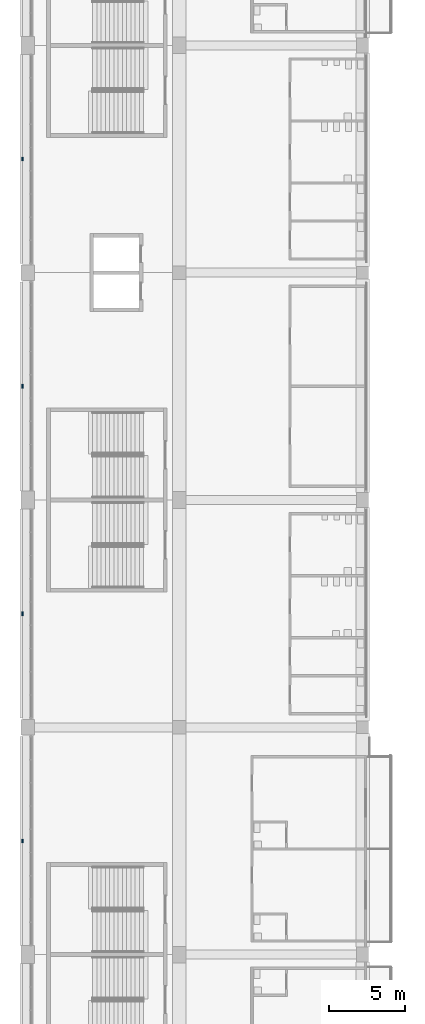
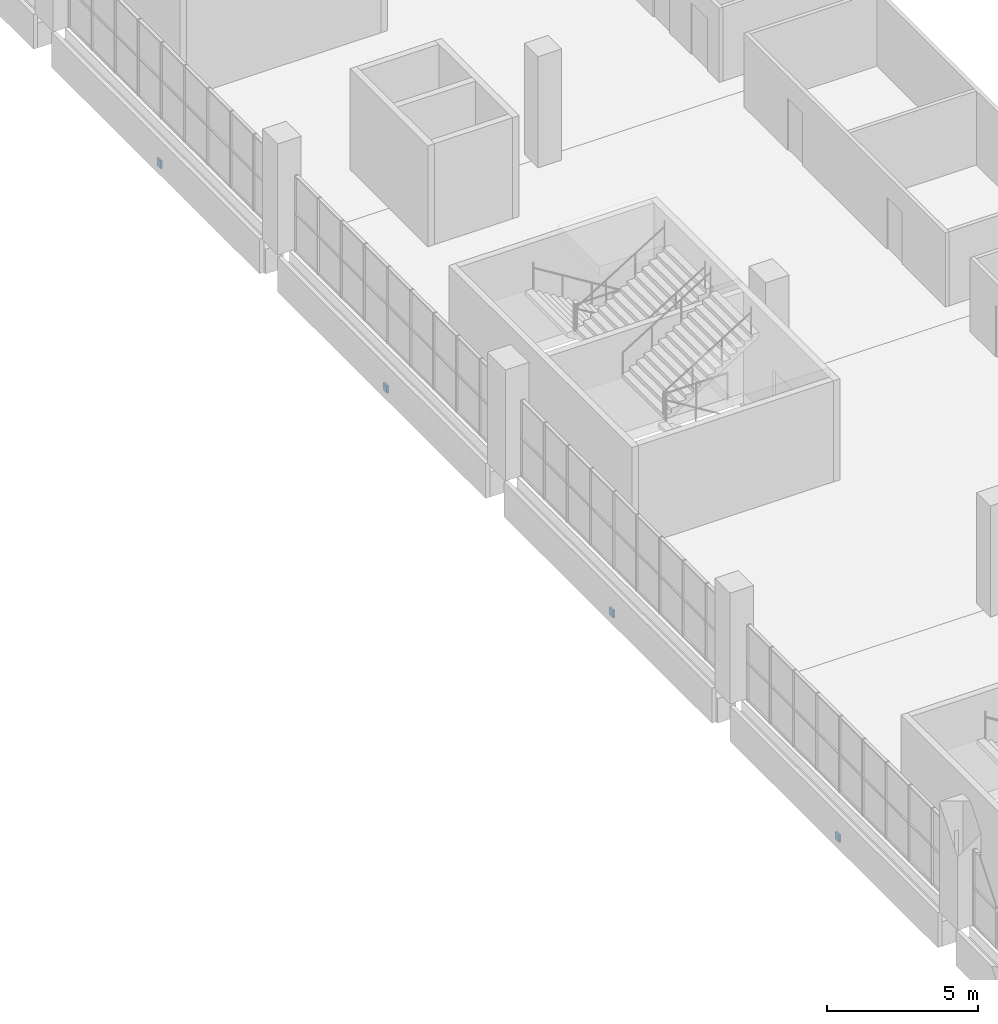
# One storey, part 92 of 199: 4 discrete accessories.
"""IFC4 building model written with IfcOpenShell, lengths in metres."""

import ifcopenshell
import ifcopenshell.guid

model = None  # the IFC model being written
_history = None  # IfcOwnerHistory: only IFC2X3 demands one
_inside = {}  # id of a spatial element -> (the spatial element, [elements in it])
_under = {}  # id of a project, library or spatial element -> (it, [spatial elements below it])
_declared = {}  # id of a project -> (the project, [libraries it declares])
_typed = {}  # id of a type object -> (the type object, [elements of that type])
_made_of = {}  # id of a material, layer set ... -> (it, [elements and type objects made of it])


def new_model(schema):
    """Start an empty IFC model of exactly this schema.

    Asked for "IFC4X3", IfcOpenShell would pick the latest addendum, in which some entities
    have other attributes; the version numbers below select the first issue.
    IFC2X3 requires an IfcOwnerHistory on every rooted entity: one is made here for all.
    """
    global model, _history
    if schema == "IFC4X3":
        model = ifcopenshell.file(schema_version=(4, 3, 0, 0))
    else:
        model = ifcopenshell.file(schema=schema)
    _inside.clear()
    _under.clear()
    _declared.clear()
    _typed.clear()
    _made_of.clear()
    _history = None
    if model.schema == "IFC2X3":
        org = make("IfcOrganization", Name="unknown")
        user = make(
            "IfcPersonAndOrganization",
            ThePerson=make("IfcPerson", FamilyName="unknown"),
            TheOrganization=org,
        )
        app = make(
            "IfcApplication",
            ApplicationDeveloper=org,
            Version="unknown",
            ApplicationFullName="unknown",
            ApplicationIdentifier="unknown",
        )
        _history = make(
            "IfcOwnerHistory",
            OwningUser=user,
            OwningApplication=app,
            ChangeAction="ADDED",
            CreationDate=0,
        )
    return model


def make(cls, **values):
    """One entity of the class cls with the attributes given. An attribute that is None is left unset."""
    return model.create_entity(
        cls, **{name: value for name, value in values.items() if value is not None}
    )


def rooted(cls, **values):
    """An entity with a GlobalId (a new one), such as an element, a storey or a relation."""
    return make(cls, GlobalId=ifcopenshell.guid.new(), OwnerHistory=_history, **values)


def si_unit(unit_type, name, prefix=None):
    """IfcSIUnit, for example si_unit("LENGTHUNIT", "METRE", prefix="MILLI")."""
    return make("IfcSIUnit", UnitType=unit_type, Prefix=prefix, Name=name)


def assignment(units):
    """IfcUnitAssignment: the units of a project."""
    return None if units is None else make("IfcUnitAssignment", Units=units)


def point(xyz):
    """IfcCartesianPoint."""
    return None if xyz is None else make("IfcCartesianPoint", Coordinates=xyz)


def direction(xyz):
    """IfcDirection."""
    return None if xyz is None else make("IfcDirection", DirectionRatios=xyz)


def frame(location, z_axis=None, x_axis=None):
    """IfcAxis2Placement3D, a coordinate frame: its origin and axes. An axis left out is left unset."""
    return make(
        "IfcAxis2Placement3D",
        Location=point(location),
        Axis=direction(z_axis),
        RefDirection=direction(x_axis),
    )


def frame_2d(location, x_axis=None):
    """IfcAxis2Placement2D, a coordinate frame in the plane: its origin and x axis."""
    return make(
        "IfcAxis2Placement2D", Location=point(location), RefDirection=direction(x_axis)
    )


def origin():
    """The frame at (0, 0, 0) with its axes left unset."""
    return frame((0.0, 0.0, 0.0))


def origin_2d():
    """The frame at (0, 0) in the plane with its x axis left unset."""
    return frame_2d((0.0, 0.0))


def place(relative_to, where):
    """IfcLocalPlacement: puts the frame where relative to a parent placement (None: the world)."""
    return make(
        "IfcLocalPlacement", PlacementRelTo=relative_to, RelativePlacement=where
    )


def context(
    kind, dimensions, precision=None, world=None, true_north=None, identifier=None
):
    """IfcGeometricRepresentationContext, for example the 3D "Model" context."""
    return make(
        "IfcGeometricRepresentationContext",
        ContextIdentifier=identifier,
        ContextType=kind,
        CoordinateSpaceDimension=dimensions,
        Precision=precision,
        WorldCoordinateSystem=world,
        TrueNorth=true_north,
    )


def subcontext(parent, identifier, kind, view, scale=None):
    """IfcGeometricRepresentationSubContext, for example "Body" below "Model"."""
    return make(
        "IfcGeometricRepresentationSubContext",
        ContextIdentifier=identifier,
        ContextType=kind,
        ParentContext=parent,
        TargetScale=scale,
        TargetView=view,
    )


def project(units=None, contexts=None):
    """IfcProject with its units and contexts."""
    return rooted(
        "IfcProject",
        Name="project",
        RepresentationContexts=contexts,
        UnitsInContext=assignment(units),
    )


def spatial(cls, under=None, at=None, **own):
    """A site, building, storey or space (cls), placed at a placement, below another one or the project."""
    s = rooted(cls, ObjectPlacement=at, **own)
    if under is not None:
        _under.setdefault(under.id(), (under, []))[1].append(s)
    return s


def profile(cls, at=None, kind="AREA", **sizes):
    """A parametric profile (cls). Its sizes go by their IFC names, for example OverallWidth=200.0."""
    return make(cls, ProfileType=kind, Position=at, **sizes)


def rectangle(**sizes):
    """IfcRectangleProfileDef."""
    return profile("IfcRectangleProfileDef", **sizes)


def extrude(swept, where, along, depth):
    """IfcExtrudedAreaSolid: the profile swept, set in the frame where, extruded along a direction by depth."""
    return make(
        "IfcExtrudedAreaSolid",
        SweptArea=swept,
        Position=where,
        ExtrudedDirection=direction(along),
        Depth=depth,
    )


def shape(context_of_items, identifier, shape_type, items):
    """IfcShapeRepresentation: the items that make up one representation, for example the "Body"."""
    return make(
        "IfcShapeRepresentation",
        ContextOfItems=context_of_items,
        RepresentationIdentifier=identifier,
        RepresentationType=shape_type,
        Items=items,
    )


def material(Name=None, Category=None):
    """IfcMaterial."""
    return make("IfcMaterial", Name=Name, Category=Category)


def layer(
    of_material, thickness, ventilated=None, Name=None, Category=None, Priority=None
):
    """IfcMaterialLayer: one layer of a wall or slab, of a material (None: an air gap)."""
    return make(
        "IfcMaterialLayer",
        Material=of_material,
        LayerThickness=thickness,
        IsVentilated=ventilated,
        Name=Name,
        Category=Category,
        Priority=Priority,
    )


def layer_set(layers, Name=None):
    """IfcMaterialLayerSet."""
    return make("IfcMaterialLayerSet", MaterialLayers=layers, LayerSetName=Name)


def made_of(thing, what):
    """Note that an element or type object is made of a material, layer set ...; save() writes the relation."""
    if what is not None:
        _made_of.setdefault(what.id(), (what, []))[1].append(thing)
    return thing


def type_object(cls, material=None, **own):
    """A type object (cls), such as IfcWallType, which elements share."""
    return made_of(rooted(cls, **own), material)


def element(
    cls,
    number,
    at=None,
    inside=None,
    cuts=None,
    type_object=None,
    material=None,
    context=None,
    identifier="Body",
    shape_type=None,
    held_by="IfcProductDefinitionShape",
    body=None,
    shapes=None,
    **own,
):
    """One element of the class cls, such as IfcWall. Its Tag is "e" and its number.

    at: its placement. inside: the storey or other place that contains it. cuts: it is an
    opening in that element (IfcRelVoidsElement). A single representation is given by context,
    identifier, shape_type and body (its items); several are given by shapes. held_by: the class
    of the entity that holds the representations. save() writes the other relations.
    """
    e = rooted(cls, Tag="e%d" % number, ObjectPlacement=at, **own)
    if body is not None:
        shapes = [shape(context, identifier, shape_type, body)]
    if shapes is not None:
        e.Representation = make(held_by, Representations=shapes)
    if inside is not None:
        _inside.setdefault(inside.id(), (inside, []))[1].append(e)
    if cuts is not None:
        rooted(
            "IfcRelVoidsElement", RelatingBuildingElement=cuts, RelatedOpeningElement=e
        )
    if type_object is not None:
        _typed.setdefault(type_object.id(), (type_object, []))[1].append(e)
    return made_of(e, material)


def aggregate(whole, parts):
    """IfcRelAggregates: a whole, such as a stair, and the parts it consists of."""
    return rooted("IfcRelAggregates", RelatingObject=whole, RelatedObjects=parts)


def save(model, path):
    """Write the relations noted so far, then the file.

    IfcRelAggregates (storeys below a building ...), IfcRelContainedInSpatialStructure (elements
    in a storey), IfcRelDefinesByType, IfcRelAssociatesMaterial and IfcRelDeclares: one each for
    every whole, place, type object, material and project.
    """
    for whole, parts in _under.values():
        aggregate(whole, parts)
    for where, things in _inside.values():
        rooted(
            "IfcRelContainedInSpatialStructure",
            RelatedElements=things,
            RelatingStructure=where,
        )
    for kind, things in _typed.values():
        rooted("IfcRelDefinesByType", RelatedObjects=things, RelatingType=kind)
    for what, things in _made_of.values():
        rooted("IfcRelAssociatesMaterial", RelatedObjects=things, RelatingMaterial=what)
    for by, libraries in _declared.values():
        rooted("IfcRelDeclares", RelatingContext=by, RelatedDefinitions=libraries)
    model.write(path)


model = new_model("IFC4")

# Units and contexts
model_context = context("Model", 3, precision=1e-05, world=origin(), true_north=direction((0.0, 1.0)))
body_context = subcontext(model_context, "Body", "Model", "MODEL_VIEW")
ifc_project = project(units=[si_unit("LENGTHUNIT", "METRE"), si_unit("AREAUNIT", "SQUARE_METRE"), si_unit("VOLUMEUNIT", "CUBIC_METRE"), si_unit("PLANEANGLEUNIT", "RADIAN"), si_unit("MASSUNIT", "GRAM", prefix="KILO")], contexts=[model_context])

# Site, building, storey
site_placement = place(None, origin())
site = spatial("IfcSite", under=ifc_project, at=site_placement, CompositionType="ELEMENT")
building_placement = place(site_placement, origin())
building = spatial("IfcBuilding", under=site, at=building_placement, Name="Ogive Plaza Stadium", CompositionType="ELEMENT")
storey_placement = place(building_placement, frame((0.0, 0.0, 9.0)))
storey = spatial("IfcBuildingStorey", under=building, at=storey_placement, Name="L02", CompositionType="ELEMENT", Elevation=9.0)

# Discrete accessories
ifc_material = material(Name="Steel ASTM A572 Grade 50", Category="steel")
ifc_layer = layer(ifc_material, 0.080078125)
ifc_layer_set = layer_set([ifc_layer], Name="Steel ASTM A572 Grade 50")
discrete_accessory_type = type_object("IfcDiscreteAccessoryType", Name="Spandrel cladding bracket 250x300", PredefinedType="BRACKET", material=ifc_layer_set)
for number, where, z_axis, x_axis, name in (
    (1, (-84.35009765625, -30.0, -1.31005859375), (0.0, 0.0, 1.0), (0.0, 1.0, 0.0), "SPANDREL BRACKET B22 L02"),
    (2, (-84.35009765625, -15.0, -1.31005859375), (0.0, 0.0, 1.0), (0.0, 1.0, 0.0), "SPANDREL BRACKET B23 L02"),
    (3, (-84.35009765625, 0.0, -1.31005859375), (0.0, 0.0, 1.0), (0.0, 1.0, 0.0), "SPANDREL BRACKET B24 L02"),
    (4, (-84.35009765625, 15.0, -1.31005859375), (0.0, 0.0, 1.0), (0.0, 1.0, 0.0), "SPANDREL BRACKET B25 L02"),
):
    element("IfcDiscreteAccessory", number, at=place(storey_placement, frame(where, z_axis=z_axis, x_axis=x_axis)), inside=storey, type_object=discrete_accessory_type, Name=name, PredefinedType="BRACKET", context=body_context, shape_type="SweptSolid", body=[
        extrude(rectangle(XDim=0.25, YDim=0.080078125, at=origin_2d()), origin(), (0.0, 0.0, 1.0), 0.300048828125),
    ])

save(model, "model.ifc")
